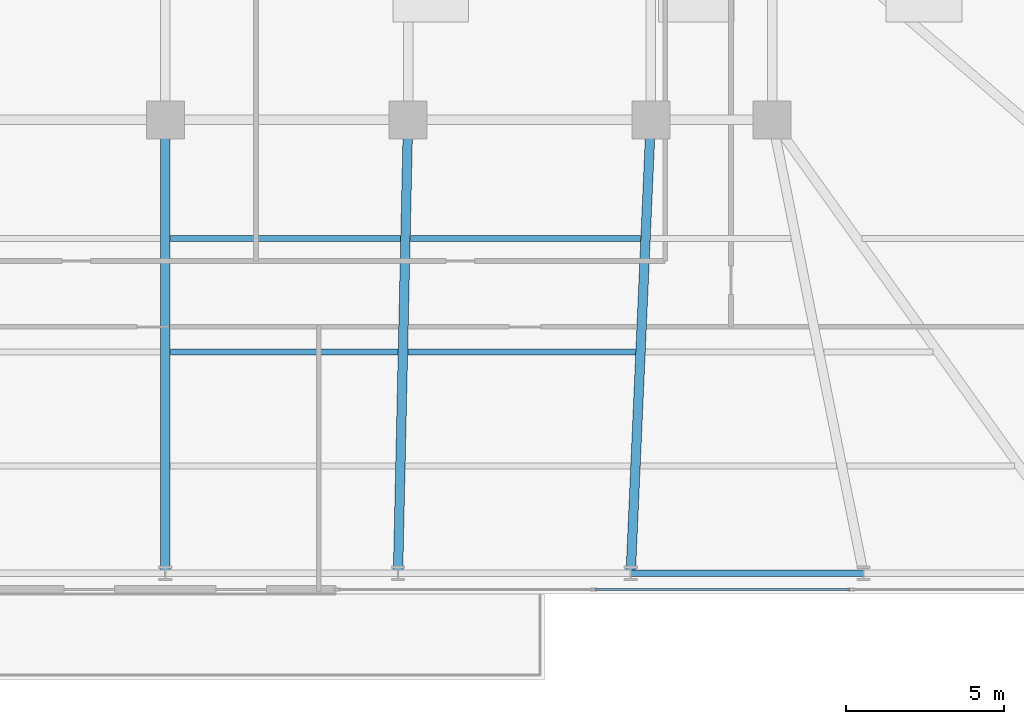
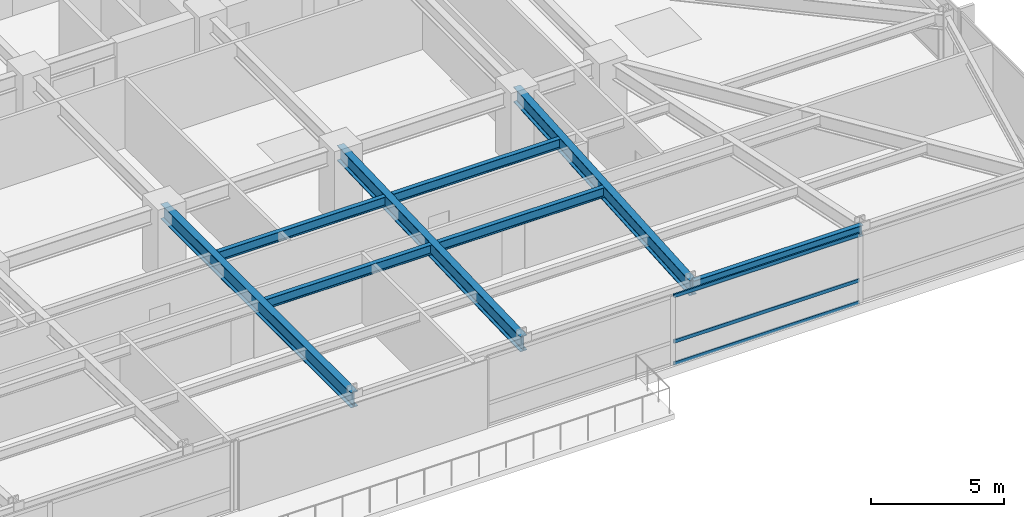
# One storey, part 12 of 31: 8 beams, 3 members, 1 element without a shape of its own.
"""IFC4 building model written with IfcOpenShell, lengths in metres."""

from ifc_helpers import new_model, si_unit, direction, frame, origin, origin_2d, place, context, subcontext, project, spatial, hollow_rectangle, i_section, extrude, material, material_profile, profile_set, type_object, element, aggregate, save


model = new_model("IFC4")

# Units and contexts
model_context = context("Model", 3, precision=1e-05, world=origin(), true_north=direction((0.0, 1.0)))
body_context = subcontext(model_context, "Body", "Model", "MODEL_VIEW")
ifc_project = project(units=[si_unit("LENGTHUNIT", "METRE"), si_unit("AREAUNIT", "SQUARE_METRE"), si_unit("VOLUMEUNIT", "CUBIC_METRE"), si_unit("PLANEANGLEUNIT", "RADIAN"), si_unit("MASSUNIT", "GRAM", prefix="KILO")], contexts=[model_context])

# Site, building, storey
site_placement = place(None, origin())
site = spatial("IfcSite", under=ifc_project, at=site_placement, CompositionType="ELEMENT")
building_placement = place(site_placement, origin())
building = spatial("IfcBuilding", under=site, at=building_placement, Name="Yelkora Congress Tower", CompositionType="ELEMENT")
storey_placement = place(building_placement, frame((0.0, 0.0, 30.39990234375)))
storey = spatial("IfcBuildingStorey", under=building, at=storey_placement, Name="L06", CompositionType="ELEMENT", Elevation=30.39990234375)

# Beams
ifc_material_1 = material(Name="Steel S355J2", Category="steel")
ifc_material_profile_1 = material_profile(ifc_material_1, i_section(OverallWidth=0.300048828125, OverallDepth=0.699951171875, WebThickness=0.01708984375, FlangeThickness=0.031982421875, FilletRadius=0.027099609375, at=origin_2d()), Name="HEB 700")
ifc_profile_set_1 = profile_set([ifc_material_profile_1], Name="Steel S355J2")
beam_type_1 = type_object("IfcBeamType", Name="BM-GIRD-HEB700", PredefinedType="BEAM", material=ifc_profile_set_1)
beam_1_placement = place(storey_placement, frame((38.39990234375, 10.85009765625, 2.830078125), z_axis=(0.0, 1.0, 0.0), x_axis=(-1.0, 0.0, 0.0)))
element("IfcBeam", 1, at=beam_1_placement, inside=storey, type_object=beam_type_1, Name="L06 Primary Frame Girder S05", PredefinedType="BEAM", context=body_context, shape_type="SweptSolid", body=[
    extrude(i_section(OverallWidth=0.300048828125, OverallDepth=0.699951171875, WebThickness=0.01708984375, FlangeThickness=0.031982421875, FilletRadius=0.027099609375, at=origin_2d()), origin(), (0.0, 0.0, 1.0), 14.349853515625),
])
beam_2_placement = place(storey_placement, frame((45.762451171875, 10.85009765625, 2.830078125), z_axis=(0.022129088136, 0.999755121746, 0.0), x_axis=(-0.999755121746, 0.022129088136, 0.0)))
element("IfcBeam", 2, at=beam_2_placement, inside=storey, type_object=beam_type_1, Name="L06 Primary Frame Girder S06", PredefinedType="BEAM", context=body_context, shape_type="SweptSolid", body=[
    extrude(i_section(OverallWidth=0.300048828125, OverallDepth=0.699951171875, WebThickness=0.01708984375, FlangeThickness=0.031982421875, FilletRadius=0.027099609375, at=origin_2d()), origin(), (0.0, 0.0, 1.0), 14.353271484375),
])
beam_3_placement = place(storey_placement, frame((53.125, 10.85009765625, 2.830078125), z_axis=(0.044208738849, 0.999022315771, 0.0), x_axis=(-0.999022315771, 0.044208738849, 0.0)))
element("IfcBeam", 3, at=beam_3_placement, inside=storey, type_object=beam_type_1, Name="L06 Primary Frame Girder S07", PredefinedType="BEAM", context=body_context, shape_type="SweptSolid", body=[
    extrude(i_section(OverallWidth=0.300048828125, OverallDepth=0.699951171875, WebThickness=0.01708984375, FlangeThickness=0.031982421875, FilletRadius=0.027099609375, at=origin_2d()), origin(), (0.0, 0.0, 1.0), 14.364013671875),
])
ifc_material_profile_2 = material_profile(ifc_material_1, i_section(OverallWidth=0.18994140625, OverallDepth=0.449951171875, WebThickness=0.009521484375, FlangeThickness=0.0146484375, FilletRadius=0.02099609375, at=origin_2d()), Name="IPE 450")
ifc_profile_set_2 = profile_set([ifc_material_profile_2], Name="Steel S355J2")
beam_type_2 = type_object("IfcBeamType", Name="BM-JOIST-IPE450", PredefinedType="JOIST", material=ifc_profile_set_2)
beam_4_placement = place(storey_placement, frame((38.56005859375, 17.85009765625, 2.955078125), z_axis=(1.0, 0.0, 0.0), x_axis=(0.0, 1.0, 0.0)))
element("IfcBeam", 4, at=beam_4_placement, inside=storey, type_object=beam_type_2, Name="L06 Composite Floor Joist 13", PredefinedType="JOIST", context=body_context, shape_type="SweptSolid", body=[
    extrude(i_section(OverallWidth=0.18994140625, OverallDepth=0.449951171875, WebThickness=0.009521484375, FlangeThickness=0.0146484375, FilletRadius=0.02099609375, at=origin_2d()), origin(), (0.0, 0.0, 1.0), 7.197265625),
])
beam_5_placement = place(storey_placement, frame((46.077392578125, 17.85009765625, 2.955078125), z_axis=(1.0, 0.0, 0.0), x_axis=(0.0, 1.0, 0.0)))
element("IfcBeam", 5, at=beam_5_placement, inside=storey, type_object=beam_type_2, Name="L06 Composite Floor Joist 14", PredefinedType="JOIST", context=body_context, shape_type="SweptSolid", body=[
    extrude(i_section(OverallWidth=0.18994140625, OverallDepth=0.449951171875, WebThickness=0.009521484375, FlangeThickness=0.0146484375, FilletRadius=0.02099609375, at=origin_2d()), origin(), (0.0, 0.0, 1.0), 7.197509765625),
])
beam_6_placement = place(storey_placement, frame((38.56005859375, 21.449951171875, 2.955078125), z_axis=(1.0, 0.0, 0.0), x_axis=(0.0, 1.0, 0.0)))
element("IfcBeam", 6, at=beam_6_placement, inside=storey, type_object=beam_type_2, Name="L06 Composite Floor Joist 20", PredefinedType="JOIST", context=body_context, shape_type="SweptSolid", body=[
    extrude(i_section(OverallWidth=0.18994140625, OverallDepth=0.449951171875, WebThickness=0.009521484375, FlangeThickness=0.0146484375, FilletRadius=0.02099609375, at=origin_2d()), origin(), (0.0, 0.0, 1.0), 7.27685546875),
])
beam_7_placement = place(storey_placement, frame((46.156982421875, 21.449951171875, 2.955078125), z_axis=(1.0, 0.0, 0.0), x_axis=(0.0, 1.0, 0.0)))
element("IfcBeam", 7, at=beam_7_placement, inside=storey, type_object=beam_type_2, Name="L06 Composite Floor Joist 21", PredefinedType="JOIST", context=body_context, shape_type="SweptSolid", body=[
    extrude(i_section(OverallWidth=0.18994140625, OverallDepth=0.449951171875, WebThickness=0.009521484375, FlangeThickness=0.0146484375, FilletRadius=0.02099609375, at=origin_2d()), origin(), (0.0, 0.0, 1.0), 7.277099609375),
])
ifc_material_profile_3 = material_profile(ifc_material_1, i_section(OverallWidth=0.199951171875, OverallDepth=0.5, WebThickness=0.01025390625, FlangeThickness=0.01611328125, FilletRadius=0.02099609375, at=origin_2d()), Name="IPE 500")
ifc_profile_set_3 = profile_set([ifc_material_profile_3], Name="Steel S355J2")
beam_type_3 = type_object("IfcBeamType", Name="BM-SPAN-IPE500", PredefinedType="SPANDREL", material=ifc_profile_set_3)
beam_8_placement = place(storey_placement, frame((53.125, 10.85009765625, 2.93017578125), z_axis=(1.0, 0.0, 0.0), x_axis=(0.0, 1.0, 0.0)))
element("IfcBeam", 8, at=beam_8_placement, inside=storey, type_object=beam_type_3, Name="L06 Perimeter Beam 8", PredefinedType="SPANDREL", context=body_context, shape_type="SweptSolid", body=[
    extrude(i_section(OverallWidth=0.199951171875, OverallDepth=0.5, WebThickness=0.01025390625, FlangeThickness=0.01611328125, FilletRadius=0.02099609375, at=origin_2d()), origin(), (0.0, 0.0, 1.0), 7.362548828125),
])

# Curtain wall, members
ifc_material_2 = material(Name="Anodised aluminium and insulated glass", Category="aluminium")
curtain_wall_type = type_object("IfcCurtainWallType", Name="CW-SYS-B1", PredefinedType="NOTDEFINED", material=ifc_material_2)
curtain_wall_placement = place(storey_placement, origin())
curtain_wall = element("IfcCurtainWall", 9, at=curtain_wall_placement, inside=storey, type_object=curtain_wall_type, Name="L06 South-East Curtain Wall", PredefinedType="NOTDEFINED")
ifc_material_3 = material(Name="Anodised aluminium 6063-T6", Category="aluminium")
ifc_material_profile_4 = material_profile(ifc_material_3, hollow_rectangle(XDim=0.06494140625, YDim=0.159912109375, WallThickness=0.00390625, at=origin_2d()), Name="ALU 65x160x4")
ifc_profile_set_4 = profile_set([ifc_material_profile_4], Name="Anodised aluminium 6063-T6")
member_type = type_object("IfcMemberType", Name="MEM-TR-B1", PredefinedType="USERDEFINED", material=ifc_profile_set_4)
member_1_placement = place(storey_placement, frame((51.99072265625, 10.340087890625, 0.03271484375), z_axis=(1.0, 0.0, 0.0), x_axis=(0.0, 1.0, 0.0)))
member_1 = element("IfcMember", 10, at=member_1_placement, type_object=member_type, Name="CW-B1 transom 2.1", ObjectType="TRANSOM", PredefinedType="USERDEFINED", context=body_context, shape_type="SweptSolid", body=[
    extrude(hollow_rectangle(XDim=0.06494140625, YDim=0.159912109375, WallThickness=0.00390625, at=origin_2d()), origin(), (0.0, 0.0, 1.0), 8.078369140625),
])
member_2_placement = place(storey_placement, frame((51.99072265625, 10.340087890625, 1.050048828125), z_axis=(1.0, 0.0, 0.0), x_axis=(0.0, 1.0, 0.0)))
member_2 = element("IfcMember", 11, at=member_2_placement, type_object=member_type, Name="CW-B1 transom 2.2", ObjectType="TRANSOM", PredefinedType="USERDEFINED", context=body_context, shape_type="SweptSolid", body=[
    extrude(hollow_rectangle(XDim=0.06494140625, YDim=0.159912109375, WallThickness=0.00390625, at=origin_2d()), origin(), (0.0, 0.0, 1.0), 8.078369140625),
])
member_3_placement = place(storey_placement, frame((51.99072265625, 10.340087890625, 3.147705078125), z_axis=(1.0, 0.0, 0.0), x_axis=(0.0, 1.0, 0.0)))
member_3 = element("IfcMember", 12, at=member_3_placement, type_object=member_type, Name="CW-B1 transom 2.3", ObjectType="TRANSOM", PredefinedType="USERDEFINED", context=body_context, shape_type="SweptSolid", body=[
    extrude(hollow_rectangle(XDim=0.06494140625, YDim=0.159912109375, WallThickness=0.00390625, at=origin_2d()), origin(), (0.0, 0.0, 1.0), 8.078369140625),
])
aggregate(curtain_wall, [member_1, member_2, member_3])

save(model, "model.ifc")
